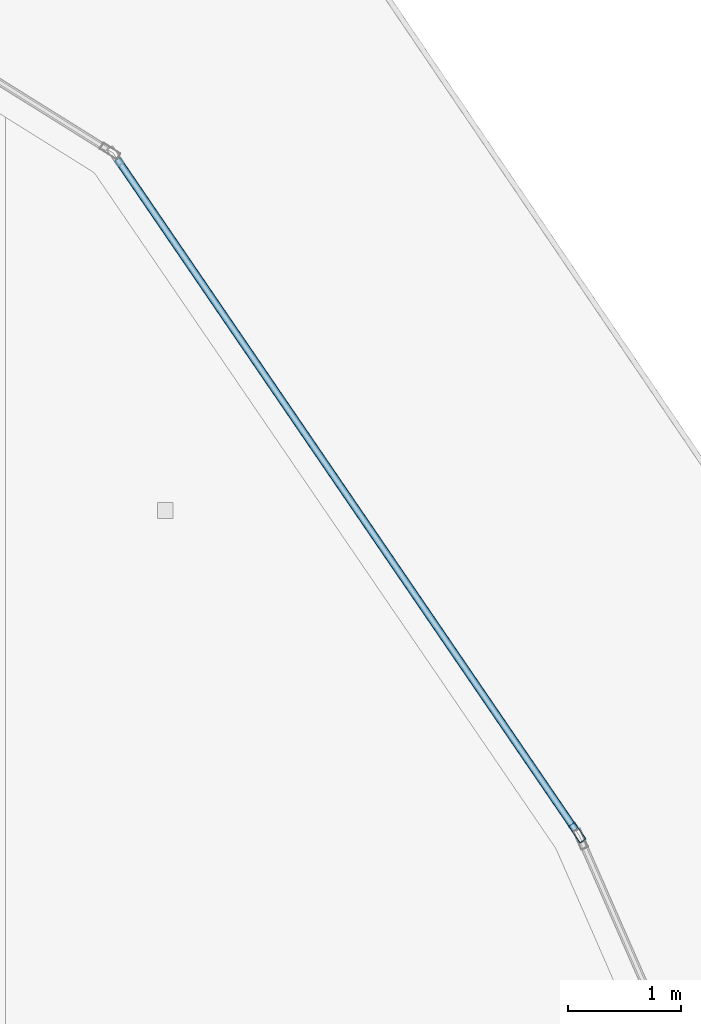
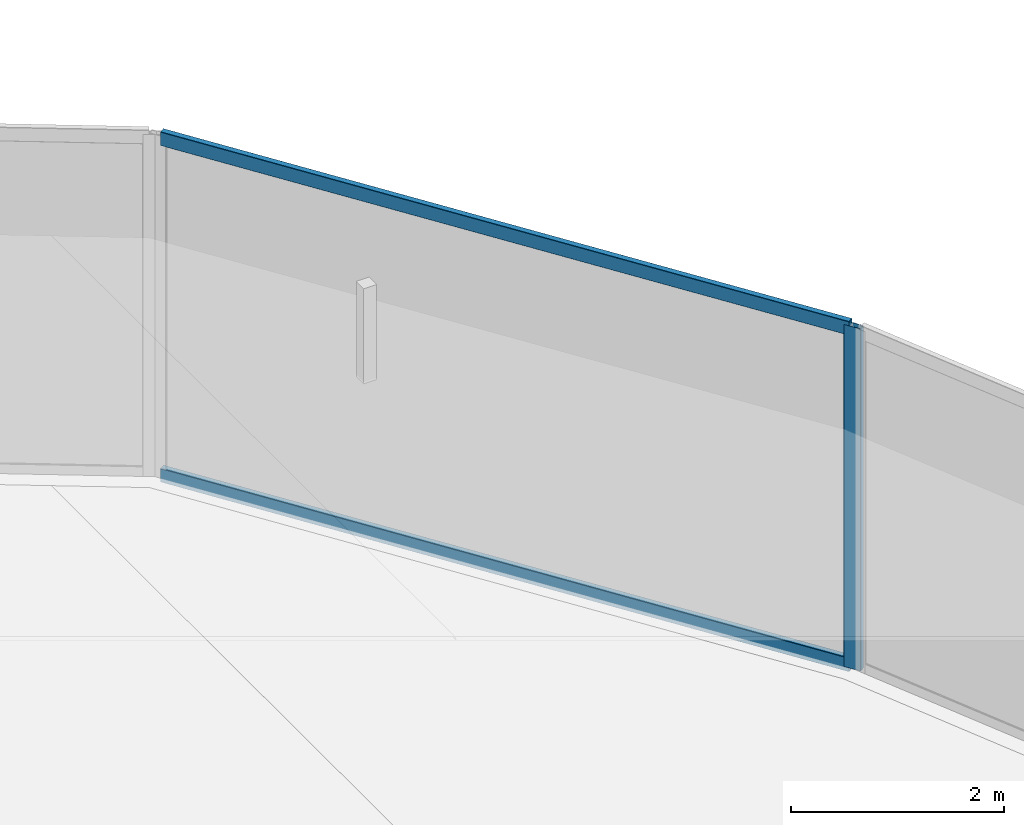
# One storey, part 22 of 45: 3 members, 1 element without a shape of its own.
"""IFC4 building model written with IfcOpenShell, lengths in metres."""

import ifcopenshell
import ifcopenshell.guid

model = None  # the IFC model being written
_history = None  # IfcOwnerHistory: only IFC2X3 demands one
_inside = {}  # id of a spatial element -> (the spatial element, [elements in it])
_under = {}  # id of a project, library or spatial element -> (it, [spatial elements below it])
_declared = {}  # id of a project -> (the project, [libraries it declares])
_typed = {}  # id of a type object -> (the type object, [elements of that type])
_made_of = {}  # id of a material, layer set ... -> (it, [elements and type objects made of it])


def new_model(schema):
    """Start an empty IFC model of exactly this schema.

    Asked for "IFC4X3", IfcOpenShell would pick the latest addendum, in which some entities
    have other attributes; the version numbers below select the first issue.
    IFC2X3 requires an IfcOwnerHistory on every rooted entity: one is made here for all.
    """
    global model, _history
    if schema == "IFC4X3":
        model = ifcopenshell.file(schema_version=(4, 3, 0, 0))
    else:
        model = ifcopenshell.file(schema=schema)
    _inside.clear()
    _under.clear()
    _declared.clear()
    _typed.clear()
    _made_of.clear()
    _history = None
    if model.schema == "IFC2X3":
        org = make("IfcOrganization", Name="unknown")
        user = make(
            "IfcPersonAndOrganization",
            ThePerson=make("IfcPerson", FamilyName="unknown"),
            TheOrganization=org,
        )
        app = make(
            "IfcApplication",
            ApplicationDeveloper=org,
            Version="unknown",
            ApplicationFullName="unknown",
            ApplicationIdentifier="unknown",
        )
        _history = make(
            "IfcOwnerHistory",
            OwningUser=user,
            OwningApplication=app,
            ChangeAction="ADDED",
            CreationDate=0,
        )
    return model


def make(cls, **values):
    """One entity of the class cls with the attributes given. An attribute that is None is left unset."""
    return model.create_entity(
        cls, **{name: value for name, value in values.items() if value is not None}
    )


def rooted(cls, **values):
    """An entity with a GlobalId (a new one), such as an element, a storey or a relation."""
    return make(cls, GlobalId=ifcopenshell.guid.new(), OwnerHistory=_history, **values)


def si_unit(unit_type, name, prefix=None):
    """IfcSIUnit, for example si_unit("LENGTHUNIT", "METRE", prefix="MILLI")."""
    return make("IfcSIUnit", UnitType=unit_type, Prefix=prefix, Name=name)


def assignment(units):
    """IfcUnitAssignment: the units of a project."""
    return None if units is None else make("IfcUnitAssignment", Units=units)


def point(xyz):
    """IfcCartesianPoint."""
    return None if xyz is None else make("IfcCartesianPoint", Coordinates=xyz)


def direction(xyz):
    """IfcDirection."""
    return None if xyz is None else make("IfcDirection", DirectionRatios=xyz)


def frame(location, z_axis=None, x_axis=None):
    """IfcAxis2Placement3D, a coordinate frame: its origin and axes. An axis left out is left unset."""
    return make(
        "IfcAxis2Placement3D",
        Location=point(location),
        Axis=direction(z_axis),
        RefDirection=direction(x_axis),
    )


def frame_2d(location, x_axis=None):
    """IfcAxis2Placement2D, a coordinate frame in the plane: its origin and x axis."""
    return make(
        "IfcAxis2Placement2D", Location=point(location), RefDirection=direction(x_axis)
    )


def origin():
    """The frame at (0, 0, 0) with its axes left unset."""
    return frame((0.0, 0.0, 0.0))


def origin_2d():
    """The frame at (0, 0) in the plane with its x axis left unset."""
    return frame_2d((0.0, 0.0))


def place(relative_to, where):
    """IfcLocalPlacement: puts the frame where relative to a parent placement (None: the world)."""
    return make(
        "IfcLocalPlacement", PlacementRelTo=relative_to, RelativePlacement=where
    )


def context(
    kind, dimensions, precision=None, world=None, true_north=None, identifier=None
):
    """IfcGeometricRepresentationContext, for example the 3D "Model" context."""
    return make(
        "IfcGeometricRepresentationContext",
        ContextIdentifier=identifier,
        ContextType=kind,
        CoordinateSpaceDimension=dimensions,
        Precision=precision,
        WorldCoordinateSystem=world,
        TrueNorth=true_north,
    )


def subcontext(parent, identifier, kind, view, scale=None):
    """IfcGeometricRepresentationSubContext, for example "Body" below "Model"."""
    return make(
        "IfcGeometricRepresentationSubContext",
        ContextIdentifier=identifier,
        ContextType=kind,
        ParentContext=parent,
        TargetScale=scale,
        TargetView=view,
    )


def project(units=None, contexts=None):
    """IfcProject with its units and contexts."""
    return rooted(
        "IfcProject",
        Name="project",
        RepresentationContexts=contexts,
        UnitsInContext=assignment(units),
    )


def spatial(cls, under=None, at=None, **own):
    """A site, building, storey or space (cls), placed at a placement, below another one or the project."""
    s = rooted(cls, ObjectPlacement=at, **own)
    if under is not None:
        _under.setdefault(under.id(), (under, []))[1].append(s)
    return s


def profile(cls, at=None, kind="AREA", **sizes):
    """A parametric profile (cls). Its sizes go by their IFC names, for example OverallWidth=200.0."""
    return make(cls, ProfileType=kind, Position=at, **sizes)


def hollow_rectangle(**sizes):
    """IfcRectangleHollowProfileDef."""
    return profile("IfcRectangleHollowProfileDef", **sizes)


def extrude(swept, where, along, depth):
    """IfcExtrudedAreaSolid: the profile swept, set in the frame where, extruded along a direction by depth."""
    return make(
        "IfcExtrudedAreaSolid",
        SweptArea=swept,
        Position=where,
        ExtrudedDirection=direction(along),
        Depth=depth,
    )


def shape(context_of_items, identifier, shape_type, items):
    """IfcShapeRepresentation: the items that make up one representation, for example the "Body"."""
    return make(
        "IfcShapeRepresentation",
        ContextOfItems=context_of_items,
        RepresentationIdentifier=identifier,
        RepresentationType=shape_type,
        Items=items,
    )


def material(Name=None, Category=None):
    """IfcMaterial."""
    return make("IfcMaterial", Name=Name, Category=Category)


def layer(
    of_material, thickness, ventilated=None, Name=None, Category=None, Priority=None
):
    """IfcMaterialLayer: one layer of a wall or slab, of a material (None: an air gap)."""
    return make(
        "IfcMaterialLayer",
        Material=of_material,
        LayerThickness=thickness,
        IsVentilated=ventilated,
        Name=Name,
        Category=Category,
        Priority=Priority,
    )


def layer_set(layers, Name=None):
    """IfcMaterialLayerSet."""
    return make("IfcMaterialLayerSet", MaterialLayers=layers, LayerSetName=Name)


def material_profile(
    of_material, cross_section, Name=None, Category=None, Priority=None
):
    """IfcMaterialProfile: a cross section and its material."""
    return make(
        "IfcMaterialProfile",
        Name=Name,
        Material=of_material,
        Profile=cross_section,
        Priority=Priority,
        Category=Category,
    )


def profile_set(profiles, Name=None, composite=None):
    """IfcMaterialProfileSet."""
    return make(
        "IfcMaterialProfileSet",
        Name=Name,
        MaterialProfiles=profiles,
        CompositeProfile=composite,
    )


def made_of(thing, what):
    """Note that an element or type object is made of a material, layer set ...; save() writes the relation."""
    if what is not None:
        _made_of.setdefault(what.id(), (what, []))[1].append(thing)
    return thing


def type_object(cls, material=None, **own):
    """A type object (cls), such as IfcWallType, which elements share."""
    return made_of(rooted(cls, **own), material)


def element(
    cls,
    number,
    at=None,
    inside=None,
    cuts=None,
    type_object=None,
    material=None,
    context=None,
    identifier="Body",
    shape_type=None,
    held_by="IfcProductDefinitionShape",
    body=None,
    shapes=None,
    **own,
):
    """One element of the class cls, such as IfcWall. Its Tag is "e" and its number.

    at: its placement. inside: the storey or other place that contains it. cuts: it is an
    opening in that element (IfcRelVoidsElement). A single representation is given by context,
    identifier, shape_type and body (its items); several are given by shapes. held_by: the class
    of the entity that holds the representations. save() writes the other relations.
    """
    e = rooted(cls, Tag="e%d" % number, ObjectPlacement=at, **own)
    if body is not None:
        shapes = [shape(context, identifier, shape_type, body)]
    if shapes is not None:
        e.Representation = make(held_by, Representations=shapes)
    if inside is not None:
        _inside.setdefault(inside.id(), (inside, []))[1].append(e)
    if cuts is not None:
        rooted(
            "IfcRelVoidsElement", RelatingBuildingElement=cuts, RelatedOpeningElement=e
        )
    if type_object is not None:
        _typed.setdefault(type_object.id(), (type_object, []))[1].append(e)
    return made_of(e, material)


def aggregate(whole, parts):
    """IfcRelAggregates: a whole, such as a stair, and the parts it consists of."""
    return rooted("IfcRelAggregates", RelatingObject=whole, RelatedObjects=parts)


def save(model, path):
    """Write the relations noted so far, then the file.

    IfcRelAggregates (storeys below a building ...), IfcRelContainedInSpatialStructure (elements
    in a storey), IfcRelDefinesByType, IfcRelAssociatesMaterial and IfcRelDeclares: one each for
    every whole, place, type object, material and project.
    """
    for whole, parts in _under.values():
        aggregate(whole, parts)
    for where, things in _inside.values():
        rooted(
            "IfcRelContainedInSpatialStructure",
            RelatedElements=things,
            RelatingStructure=where,
        )
    for kind, things in _typed.values():
        rooted("IfcRelDefinesByType", RelatedObjects=things, RelatingType=kind)
    for what, things in _made_of.values():
        rooted("IfcRelAssociatesMaterial", RelatedObjects=things, RelatingMaterial=what)
    for by, libraries in _declared.values():
        rooted("IfcRelDeclares", RelatingContext=by, RelatedDefinitions=libraries)
    model.write(path)


model = new_model("IFC4")

# Units and contexts
model_context = context("Model", 3, precision=1e-05, world=origin(), true_north=direction((0.0, 1.0)))
body_context = subcontext(model_context, "Body", "Model", "MODEL_VIEW")
ifc_project = project(units=[si_unit("LENGTHUNIT", "METRE"), si_unit("AREAUNIT", "SQUARE_METRE"), si_unit("VOLUMEUNIT", "CUBIC_METRE"), si_unit("PLANEANGLEUNIT", "RADIAN"), si_unit("MASSUNIT", "GRAM", prefix="KILO")], contexts=[model_context])

# Site, building, storey
site_placement = place(None, origin())
site = spatial("IfcSite", under=ifc_project, at=site_placement, CompositionType="ELEMENT")
building_placement = place(site_placement, origin())
building = spatial("IfcBuilding", under=site, at=building_placement, Name="Qorvath Tower", CompositionType="ELEMENT")
storey_placement = place(building_placement, frame((0.0, 0.0, 66.0)))
storey = spatial("IfcBuildingStorey", under=building, at=storey_placement, Name="L14", CompositionType="ELEMENT", Elevation=66.0)

# Curtain wall, members
ifc_material_1 = material(Name="Anodised aluminium and triple low-E glass", Category="aluminium")
ifc_layer = layer(ifc_material_1, 0.179931640625)
ifc_layer_set = layer_set([ifc_layer], Name="CW-SYS-2")
curtain_wall_type = type_object("IfcCurtainWallType", Name="CW-SYS-2", PredefinedType="NOTDEFINED", material=ifc_layer_set)
curtain_wall_placement = place(storey_placement, origin())
curtain_wall = element("IfcCurtainWall", 1, at=curtain_wall_placement, inside=storey, type_object=curtain_wall_type, Name="Curtain Wall CW-2 CW-T-L14-13.1", PredefinedType="NOTDEFINED")
ifc_material_2 = material(Name="Anodised aluminium 6063-T6", Category="aluminium")
ifc_material_profile_1 = material_profile(ifc_material_2, hollow_rectangle(XDim=0.06494140625, YDim=0.179931640625, WallThickness=0.00341796875, InnerFilletRadius=0.00341796875, OuterFilletRadius=0.007080078125, at=origin_2d()), Name="CWM 180x65")
ifc_profile_set_1 = profile_set([ifc_material_profile_1], Name="Anodised aluminium 6063-T6")
member_type_1 = type_object("IfcMemberType", Name="CWM-180", PredefinedType="MULLION", material=ifc_profile_set_1)
member_1_placement = place(storey_placement, frame((1.8544921875, 19.050537109375, 0.0), z_axis=(0.0, 0.0, 1.0), x_axis=(-0.825792265854, -0.563974408689, 0.0)))
member_1 = element("IfcMember", 2, at=member_1_placement, type_object=member_type_1, Name="CW-2 mullion 1", PredefinedType="MULLION", context=body_context, shape_type="SweptSolid", body=[
    extrude(hollow_rectangle(XDim=0.06494140625, YDim=0.179931640625, WallThickness=0.00341796875, InnerFilletRadius=0.00341796875, OuterFilletRadius=0.007080078125, at=origin_2d()), origin(), (0.0, 0.0, 1.0), 3.919921875),
])
ifc_material_3 = material(Name="Anodised aluminium 6063-T6", Category="aluminium")
ifc_material_profile_2 = material_profile(ifc_material_3, hollow_rectangle(XDim=0.06494140625, YDim=0.159912109375, WallThickness=0.00341796875, InnerFilletRadius=0.00341796875, OuterFilletRadius=0.007080078125, at=origin_2d()), Name="CWT 160x65")
ifc_profile_set_2 = profile_set([ifc_material_profile_2], Name="Anodised aluminium 6063-T6")
member_type_2 = type_object("IfcMemberType", Name="CWT-160", PredefinedType="USERDEFINED", material=ifc_profile_set_2)
member_2_placement = place(storey_placement, frame((1.836181640625, 19.077392578125, 0.032470703125), z_axis=(-0.563979207368, 0.825788988578, 0.0), x_axis=(-0.825788988578, -0.563979207368, 0.0)))
member_2 = element("IfcMember", 3, at=member_2_placement, type_object=member_type_2, Name="CW-2 transom 1.1", ObjectType="TRANSOM", PredefinedType="USERDEFINED", context=body_context, shape_type="SweptSolid", body=[
    extrude(hollow_rectangle(XDim=0.06494140625, YDim=0.159912109375, WallThickness=0.00341796875, InnerFilletRadius=0.00341796875, OuterFilletRadius=0.007080078125, at=origin_2d()), origin(), (0.0, 0.0, 1.0), 7.168212890625),
])
member_3_placement = place(storey_placement, frame((1.836181640625, 19.077392578125, 3.887451171875), z_axis=(-0.563979207368, 0.825788988578, 0.0), x_axis=(-0.825788988578, -0.563979207368, 0.0)))
member_3 = element("IfcMember", 4, at=member_3_placement, type_object=member_type_2, Name="CW-2 transom 1.2", ObjectType="TRANSOM", PredefinedType="USERDEFINED", context=body_context, shape_type="SweptSolid", body=[
    extrude(hollow_rectangle(XDim=0.06494140625, YDim=0.159912109375, WallThickness=0.00341796875, InnerFilletRadius=0.00341796875, OuterFilletRadius=0.007080078125, at=origin_2d()), origin(), (0.0, 0.0, 1.0), 7.168212890625),
])
aggregate(curtain_wall, [member_1, member_2, member_3])

save(model, "model.ifc")
